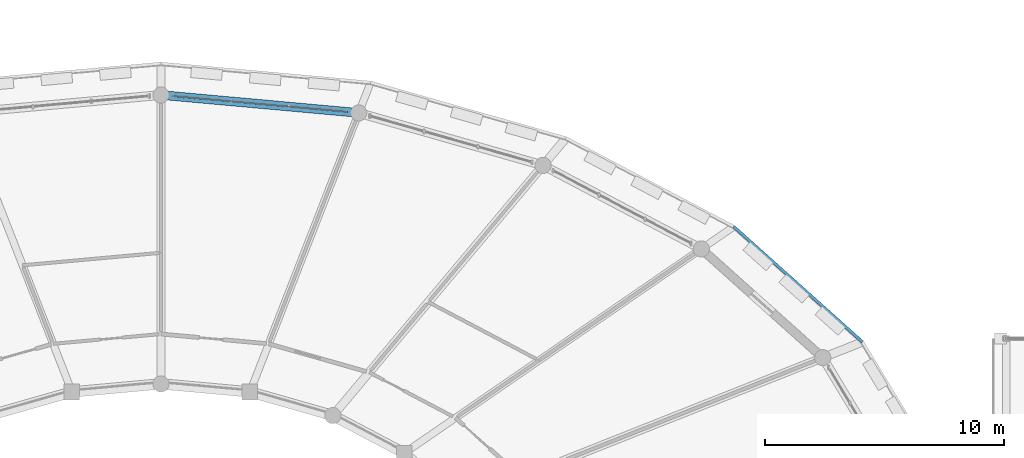
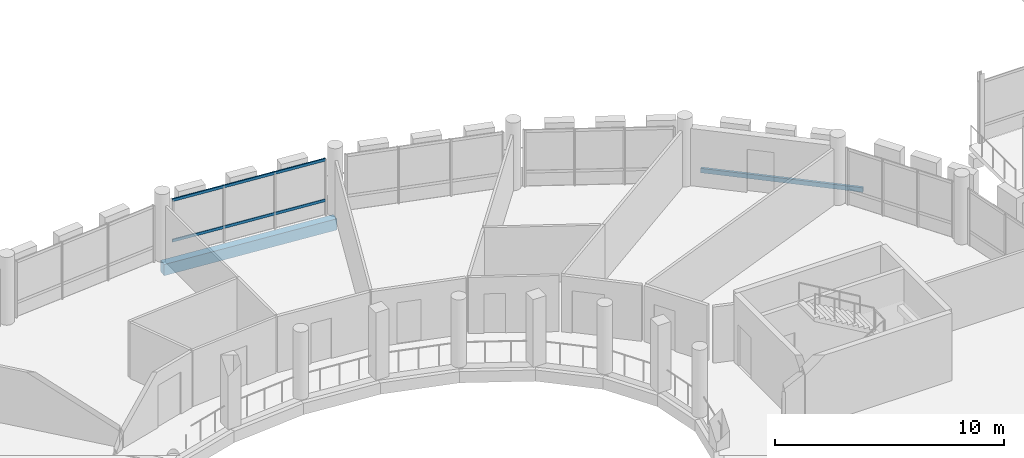
# One storey, part 76 of 128: 2 beams, 2 members, 1 element without a shape of its own.
"""IFC4 building model written with IfcOpenShell, lengths in metres."""

import ifcopenshell
import ifcopenshell.guid

model = None  # the IFC model being written
_history = None  # IfcOwnerHistory: only IFC2X3 demands one
_inside = {}  # id of a spatial element -> (the spatial element, [elements in it])
_under = {}  # id of a project, library or spatial element -> (it, [spatial elements below it])
_declared = {}  # id of a project -> (the project, [libraries it declares])
_typed = {}  # id of a type object -> (the type object, [elements of that type])
_made_of = {}  # id of a material, layer set ... -> (it, [elements and type objects made of it])


def new_model(schema):
    """Start an empty IFC model of exactly this schema.

    Asked for "IFC4X3", IfcOpenShell would pick the latest addendum, in which some entities
    have other attributes; the version numbers below select the first issue.
    IFC2X3 requires an IfcOwnerHistory on every rooted entity: one is made here for all.
    """
    global model, _history
    if schema == "IFC4X3":
        model = ifcopenshell.file(schema_version=(4, 3, 0, 0))
    else:
        model = ifcopenshell.file(schema=schema)
    _inside.clear()
    _under.clear()
    _declared.clear()
    _typed.clear()
    _made_of.clear()
    _history = None
    if model.schema == "IFC2X3":
        org = make("IfcOrganization", Name="unknown")
        user = make(
            "IfcPersonAndOrganization",
            ThePerson=make("IfcPerson", FamilyName="unknown"),
            TheOrganization=org,
        )
        app = make(
            "IfcApplication",
            ApplicationDeveloper=org,
            Version="unknown",
            ApplicationFullName="unknown",
            ApplicationIdentifier="unknown",
        )
        _history = make(
            "IfcOwnerHistory",
            OwningUser=user,
            OwningApplication=app,
            ChangeAction="ADDED",
            CreationDate=0,
        )
    return model


def make(cls, **values):
    """One entity of the class cls with the attributes given. An attribute that is None is left unset."""
    return model.create_entity(
        cls, **{name: value for name, value in values.items() if value is not None}
    )


def rooted(cls, **values):
    """An entity with a GlobalId (a new one), such as an element, a storey or a relation."""
    return make(cls, GlobalId=ifcopenshell.guid.new(), OwnerHistory=_history, **values)


def si_unit(unit_type, name, prefix=None):
    """IfcSIUnit, for example si_unit("LENGTHUNIT", "METRE", prefix="MILLI")."""
    return make("IfcSIUnit", UnitType=unit_type, Prefix=prefix, Name=name)


def assignment(units):
    """IfcUnitAssignment: the units of a project."""
    return None if units is None else make("IfcUnitAssignment", Units=units)


def point(xyz):
    """IfcCartesianPoint."""
    return None if xyz is None else make("IfcCartesianPoint", Coordinates=xyz)


def direction(xyz):
    """IfcDirection."""
    return None if xyz is None else make("IfcDirection", DirectionRatios=xyz)


def frame(location, z_axis=None, x_axis=None):
    """IfcAxis2Placement3D, a coordinate frame: its origin and axes. An axis left out is left unset."""
    return make(
        "IfcAxis2Placement3D",
        Location=point(location),
        Axis=direction(z_axis),
        RefDirection=direction(x_axis),
    )


def frame_2d(location, x_axis=None):
    """IfcAxis2Placement2D, a coordinate frame in the plane: its origin and x axis."""
    return make(
        "IfcAxis2Placement2D", Location=point(location), RefDirection=direction(x_axis)
    )


def origin():
    """The frame at (0, 0, 0) with its axes left unset."""
    return frame((0.0, 0.0, 0.0))


def origin_2d():
    """The frame at (0, 0) in the plane with its x axis left unset."""
    return frame_2d((0.0, 0.0))


def place(relative_to, where):
    """IfcLocalPlacement: puts the frame where relative to a parent placement (None: the world)."""
    return make(
        "IfcLocalPlacement", PlacementRelTo=relative_to, RelativePlacement=where
    )


def context(
    kind, dimensions, precision=None, world=None, true_north=None, identifier=None
):
    """IfcGeometricRepresentationContext, for example the 3D "Model" context."""
    return make(
        "IfcGeometricRepresentationContext",
        ContextIdentifier=identifier,
        ContextType=kind,
        CoordinateSpaceDimension=dimensions,
        Precision=precision,
        WorldCoordinateSystem=world,
        TrueNorth=true_north,
    )


def subcontext(parent, identifier, kind, view, scale=None):
    """IfcGeometricRepresentationSubContext, for example "Body" below "Model"."""
    return make(
        "IfcGeometricRepresentationSubContext",
        ContextIdentifier=identifier,
        ContextType=kind,
        ParentContext=parent,
        TargetScale=scale,
        TargetView=view,
    )


def project(units=None, contexts=None):
    """IfcProject with its units and contexts."""
    return rooted(
        "IfcProject",
        Name="project",
        RepresentationContexts=contexts,
        UnitsInContext=assignment(units),
    )


def spatial(cls, under=None, at=None, **own):
    """A site, building, storey or space (cls), placed at a placement, below another one or the project."""
    s = rooted(cls, ObjectPlacement=at, **own)
    if under is not None:
        _under.setdefault(under.id(), (under, []))[1].append(s)
    return s


def profile(cls, at=None, kind="AREA", **sizes):
    """A parametric profile (cls). Its sizes go by their IFC names, for example OverallWidth=200.0."""
    return make(cls, ProfileType=kind, Position=at, **sizes)


def rectangle(**sizes):
    """IfcRectangleProfileDef."""
    return profile("IfcRectangleProfileDef", **sizes)


def hollow_rectangle(**sizes):
    """IfcRectangleHollowProfileDef."""
    return profile("IfcRectangleHollowProfileDef", **sizes)


def extrude(swept, where, along, depth):
    """IfcExtrudedAreaSolid: the profile swept, set in the frame where, extruded along a direction by depth."""
    return make(
        "IfcExtrudedAreaSolid",
        SweptArea=swept,
        Position=where,
        ExtrudedDirection=direction(along),
        Depth=depth,
    )


def shape(context_of_items, identifier, shape_type, items):
    """IfcShapeRepresentation: the items that make up one representation, for example the "Body"."""
    return make(
        "IfcShapeRepresentation",
        ContextOfItems=context_of_items,
        RepresentationIdentifier=identifier,
        RepresentationType=shape_type,
        Items=items,
    )


def material(Name=None, Category=None):
    """IfcMaterial."""
    return make("IfcMaterial", Name=Name, Category=Category)


def material_profile(
    of_material, cross_section, Name=None, Category=None, Priority=None
):
    """IfcMaterialProfile: a cross section and its material."""
    return make(
        "IfcMaterialProfile",
        Name=Name,
        Material=of_material,
        Profile=cross_section,
        Priority=Priority,
        Category=Category,
    )


def profile_set(profiles, Name=None, composite=None):
    """IfcMaterialProfileSet."""
    return make(
        "IfcMaterialProfileSet",
        Name=Name,
        MaterialProfiles=profiles,
        CompositeProfile=composite,
    )


def made_of(thing, what):
    """Note that an element or type object is made of a material, layer set ...; save() writes the relation."""
    if what is not None:
        _made_of.setdefault(what.id(), (what, []))[1].append(thing)
    return thing


def type_object(cls, material=None, **own):
    """A type object (cls), such as IfcWallType, which elements share."""
    return made_of(rooted(cls, **own), material)


def element(
    cls,
    number,
    at=None,
    inside=None,
    cuts=None,
    type_object=None,
    material=None,
    context=None,
    identifier="Body",
    shape_type=None,
    held_by="IfcProductDefinitionShape",
    body=None,
    shapes=None,
    **own,
):
    """One element of the class cls, such as IfcWall. Its Tag is "e" and its number.

    at: its placement. inside: the storey or other place that contains it. cuts: it is an
    opening in that element (IfcRelVoidsElement). A single representation is given by context,
    identifier, shape_type and body (its items); several are given by shapes. held_by: the class
    of the entity that holds the representations. save() writes the other relations.
    """
    e = rooted(cls, Tag="e%d" % number, ObjectPlacement=at, **own)
    if body is not None:
        shapes = [shape(context, identifier, shape_type, body)]
    if shapes is not None:
        e.Representation = make(held_by, Representations=shapes)
    if inside is not None:
        _inside.setdefault(inside.id(), (inside, []))[1].append(e)
    if cuts is not None:
        rooted(
            "IfcRelVoidsElement", RelatingBuildingElement=cuts, RelatedOpeningElement=e
        )
    if type_object is not None:
        _typed.setdefault(type_object.id(), (type_object, []))[1].append(e)
    return made_of(e, material)


def aggregate(whole, parts):
    """IfcRelAggregates: a whole, such as a stair, and the parts it consists of."""
    return rooted("IfcRelAggregates", RelatingObject=whole, RelatedObjects=parts)


def save(model, path):
    """Write the relations noted so far, then the file.

    IfcRelAggregates (storeys below a building ...), IfcRelContainedInSpatialStructure (elements
    in a storey), IfcRelDefinesByType, IfcRelAssociatesMaterial and IfcRelDeclares: one each for
    every whole, place, type object, material and project.
    """
    for whole, parts in _under.values():
        aggregate(whole, parts)
    for where, things in _inside.values():
        rooted(
            "IfcRelContainedInSpatialStructure",
            RelatedElements=things,
            RelatingStructure=where,
        )
    for kind, things in _typed.values():
        rooted("IfcRelDefinesByType", RelatedObjects=things, RelatingType=kind)
    for what, things in _made_of.values():
        rooted("IfcRelAssociatesMaterial", RelatedObjects=things, RelatingMaterial=what)
    for by, libraries in _declared.values():
        rooted("IfcRelDeclares", RelatingContext=by, RelatedDefinitions=libraries)
    model.write(path)


model = new_model("IFC4")

# Units and contexts
model_context = context("Model", 3, precision=1e-05, world=origin(), true_north=direction((0.0, 1.0)))
body_context = subcontext(model_context, "Body", "Model", "MODEL_VIEW")
ifc_project = project(units=[si_unit("LENGTHUNIT", "METRE"), si_unit("AREAUNIT", "SQUARE_METRE"), si_unit("VOLUMEUNIT", "CUBIC_METRE"), si_unit("PLANEANGLEUNIT", "RADIAN"), si_unit("MASSUNIT", "GRAM", prefix="KILO")], contexts=[model_context])

# Site, building, storey
site_placement = place(None, origin())
site = spatial("IfcSite", under=ifc_project, at=site_placement, CompositionType="ELEMENT")
building_placement = place(site_placement, origin())
building = spatial("IfcBuilding", under=site, at=building_placement, Name="Zornivar Specialist Clinic", CompositionType="ELEMENT")
storey_placement = place(building_placement, frame((0.0, 0.0, 4.5)))
storey = spatial("IfcBuildingStorey", under=building, at=storey_placement, Name="L01", CompositionType="ELEMENT", Elevation=4.5)

# Beams
ifc_material_1 = material(Name="Concrete C30/37", Category="concrete")
ifc_material_profile_1 = material_profile(ifc_material_1, rectangle(XDim=0.3701171875, YDim=0.60009765625, at=origin_2d()), Name="RC 370x600")
ifc_profile_set_1 = profile_set([ifc_material_profile_1], Name="Concrete C30/37")
beam_type_1 = type_object("IfcBeamType", Name="BM-RC-SPANDREL-370x600", PredefinedType="SPANDREL", material=ifc_profile_set_1)
beam_1_placement = place(storey_placement, frame((101.882080078125, 78.85009765625, -0.5400390625), z_axis=(-0.99592467027, 0.09018897465, 0.0), x_axis=(-0.09018897465, -0.99592467027, 0.0)))
element("IfcBeam", 1, at=beam_1_placement, inside=storey, type_object=beam_type_1, Name="bm:V1:L01:outring:05", PredefinedType="SPANDREL", context=body_context, shape_type="SweptSolid", body=[
    extrude(rectangle(XDim=0.3701171875, YDim=0.60009765625, at=origin_2d()), origin(), (0.0, 0.0, 1.0), 8.31591796875),
])
ifc_material_2 = material(Name="Steel S355J2", Category="steel")
ifc_material_profile_2 = material_profile(ifc_material_2, hollow_rectangle(XDim=0.1201171875, YDim=0.239990234375, WallThickness=0.008056640625, at=origin_2d()), Name="RHS 240x120x8")
ifc_profile_set_2 = profile_set([ifc_material_profile_2], Name="Steel S355J2")
beam_type_2 = type_object("IfcBeamType", Name="BM-STL-RHS240", PredefinedType="JOIST", material=ifc_profile_set_2)
beam_2_placement = place(storey_placement, frame((122.97607421875, 69.260009765625, -0.360107421875), z_axis=(-0.744798316601, 0.66728964295, 0.0), x_axis=(-0.66728964295, -0.744798316601, 0.0)))
element("IfcBeam", 2, at=beam_2_placement, inside=storey, type_object=beam_type_2, Name="bm:V1:L01:balring:02", PredefinedType="JOIST", context=body_context, shape_type="SweptSolid", body=[
    extrude(hollow_rectangle(XDim=0.1201171875, YDim=0.239990234375, WallThickness=0.008056640625, at=origin_2d()), origin(), (0.0, 0.0, 1.0), 7.23828125),
])

# Curtain wall, members
ifc_material_3 = material(Name="Aluminium and Low-E Glass Curtain Wall", Category="aluminium")
curtain_wall_type = type_object("IfcCurtainWallType", Name="CW-DRUM-FACET", PredefinedType="NOTDEFINED", material=ifc_material_3)
curtain_wall_placement = place(storey_placement, origin())
curtain_wall = element("IfcCurtainWall", 3, at=curtain_wall_placement, inside=storey, type_object=curtain_wall_type, Name="cw:V1:L01:c05", PredefinedType="NOTDEFINED")
ifc_material_4 = material(Name="Aluminium AW-6060", Category="aluminium")
ifc_material_profile_3 = material_profile(ifc_material_4, hollow_rectangle(XDim=0.06005859375, YDim=0.14501953125, WallThickness=0.00390625, at=origin_2d()), Name="ALU 60x145x4")
ifc_profile_set_3 = profile_set([ifc_material_profile_3], Name="Aluminium AW-6060")
member_type = type_object("IfcMemberType", Name="CWM-TRN-145", PredefinedType="USERDEFINED", material=ifc_profile_set_3)
member_1_placement = place(storey_placement, frame((101.404052734375, 78.89404296875, 0.782958984375), z_axis=(-0.995943921343, 0.089976138722, 0.0), x_axis=(-0.089976138722, -0.995943921343, 0.0)))
member_1 = element("IfcMember", 4, at=member_1_placement, type_object=member_type, Name="cw:V1:L01:c05:trn:0", ObjectType="TRANSOM", PredefinedType="USERDEFINED", context=body_context, shape_type="SweptSolid", body=[
    extrude(hollow_rectangle(XDim=0.06005859375, YDim=0.14501953125, WallThickness=0.00390625, at=origin_2d()), origin(), (0.0, 0.0, 1.0), 7.35595703125),
])
member_2_placement = place(storey_placement, frame((101.404052734375, 78.89404296875, 2.945068359375), z_axis=(-0.995943921343, 0.089976138722, 0.0), x_axis=(-0.089976138722, -0.995943921343, 0.0)))
member_2 = element("IfcMember", 5, at=member_2_placement, type_object=member_type, Name="cw:V1:L01:c05:trn:1", ObjectType="TRANSOM", PredefinedType="USERDEFINED", context=body_context, shape_type="SweptSolid", body=[
    extrude(hollow_rectangle(XDim=0.06005859375, YDim=0.14501953125, WallThickness=0.00390625, at=origin_2d()), origin(), (0.0, 0.0, 1.0), 7.35595703125),
])
aggregate(curtain_wall, [member_1, member_2])

save(model, "model.ifc")
